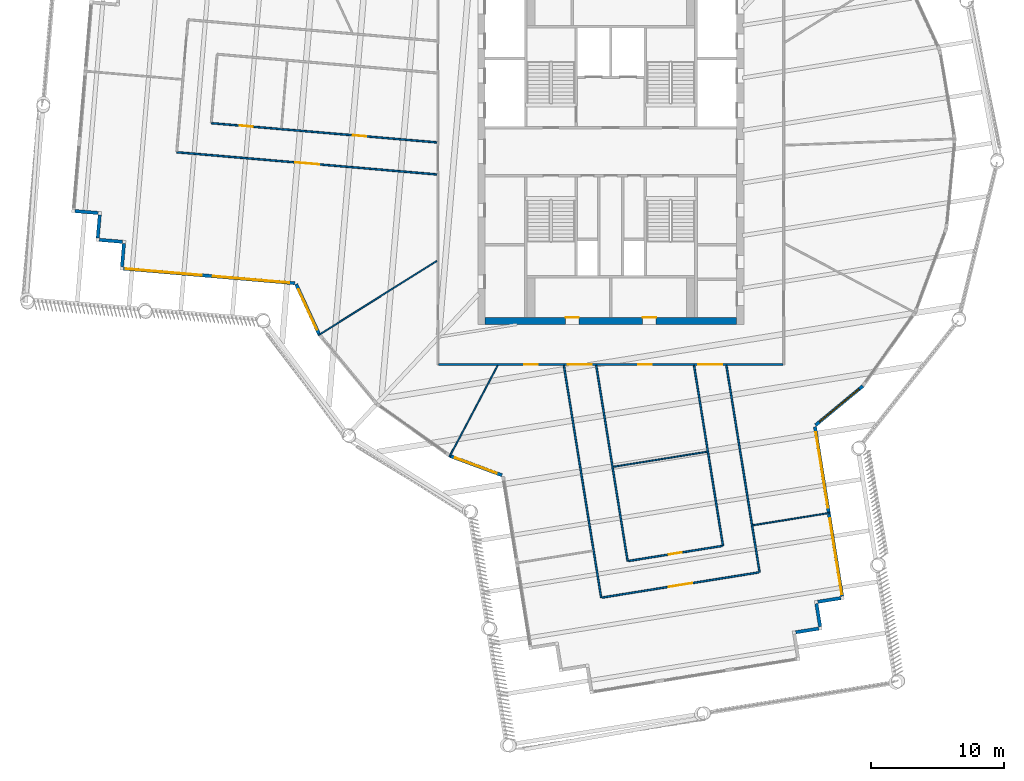
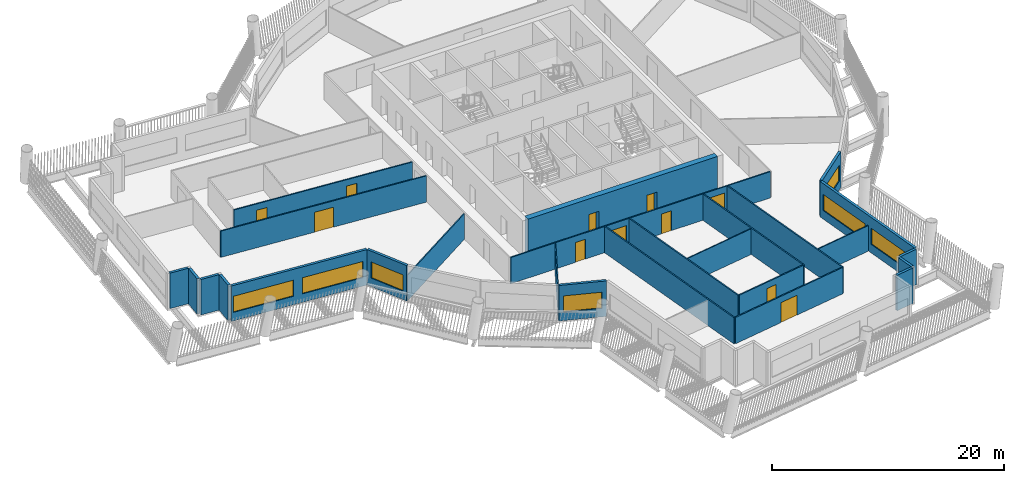
# One storey, part 3 of 14: 26 walls, 11 doors, 7 windows, 18 openings.
"""IFC4 building model written with IfcOpenShell, lengths in metres."""

import ifcopenshell
import ifcopenshell.guid

model = None  # the IFC model being written
_history = None  # IfcOwnerHistory: only IFC2X3 demands one
_inside = {}  # id of a spatial element -> (the spatial element, [elements in it])
_under = {}  # id of a project, library or spatial element -> (it, [spatial elements below it])
_declared = {}  # id of a project -> (the project, [libraries it declares])
_typed = {}  # id of a type object -> (the type object, [elements of that type])
_made_of = {}  # id of a material, layer set ... -> (it, [elements and type objects made of it])


def new_model(schema):
    """Start an empty IFC model of exactly this schema.

    Asked for "IFC4X3", IfcOpenShell would pick the latest addendum, in which some entities
    have other attributes; the version numbers below select the first issue.
    IFC2X3 requires an IfcOwnerHistory on every rooted entity: one is made here for all.
    """
    global model, _history
    if schema == "IFC4X3":
        model = ifcopenshell.file(schema_version=(4, 3, 0, 0))
    else:
        model = ifcopenshell.file(schema=schema)
    _inside.clear()
    _under.clear()
    _declared.clear()
    _typed.clear()
    _made_of.clear()
    _history = None
    if model.schema == "IFC2X3":
        org = make("IfcOrganization", Name="unknown")
        user = make(
            "IfcPersonAndOrganization",
            ThePerson=make("IfcPerson", FamilyName="unknown"),
            TheOrganization=org,
        )
        app = make(
            "IfcApplication",
            ApplicationDeveloper=org,
            Version="unknown",
            ApplicationFullName="unknown",
            ApplicationIdentifier="unknown",
        )
        _history = make(
            "IfcOwnerHistory",
            OwningUser=user,
            OwningApplication=app,
            ChangeAction="ADDED",
            CreationDate=0,
        )
    return model


def make(cls, **values):
    """One entity of the class cls with the attributes given. An attribute that is None is left unset."""
    return model.create_entity(
        cls, **{name: value for name, value in values.items() if value is not None}
    )


def rooted(cls, **values):
    """An entity with a GlobalId (a new one), such as an element, a storey or a relation."""
    return make(cls, GlobalId=ifcopenshell.guid.new(), OwnerHistory=_history, **values)


def si_unit(unit_type, name, prefix=None):
    """IfcSIUnit, for example si_unit("LENGTHUNIT", "METRE", prefix="MILLI")."""
    return make("IfcSIUnit", UnitType=unit_type, Prefix=prefix, Name=name)


def assignment(units):
    """IfcUnitAssignment: the units of a project."""
    return None if units is None else make("IfcUnitAssignment", Units=units)


def point(xyz):
    """IfcCartesianPoint."""
    return None if xyz is None else make("IfcCartesianPoint", Coordinates=xyz)


def direction(xyz):
    """IfcDirection."""
    return None if xyz is None else make("IfcDirection", DirectionRatios=xyz)


def frame(location, z_axis=None, x_axis=None):
    """IfcAxis2Placement3D, a coordinate frame: its origin and axes. An axis left out is left unset."""
    return make(
        "IfcAxis2Placement3D",
        Location=point(location),
        Axis=direction(z_axis),
        RefDirection=direction(x_axis),
    )


def frame_2d(location, x_axis=None):
    """IfcAxis2Placement2D, a coordinate frame in the plane: its origin and x axis."""
    return make(
        "IfcAxis2Placement2D", Location=point(location), RefDirection=direction(x_axis)
    )


def origin():
    """The frame at (0, 0, 0) with its axes left unset."""
    return frame((0.0, 0.0, 0.0))


def place(relative_to, where):
    """IfcLocalPlacement: puts the frame where relative to a parent placement (None: the world)."""
    return make(
        "IfcLocalPlacement", PlacementRelTo=relative_to, RelativePlacement=where
    )


def context(
    kind, dimensions, precision=None, world=None, true_north=None, identifier=None
):
    """IfcGeometricRepresentationContext, for example the 3D "Model" context."""
    return make(
        "IfcGeometricRepresentationContext",
        ContextIdentifier=identifier,
        ContextType=kind,
        CoordinateSpaceDimension=dimensions,
        Precision=precision,
        WorldCoordinateSystem=world,
        TrueNorth=true_north,
    )


def subcontext(parent, identifier, kind, view, scale=None):
    """IfcGeometricRepresentationSubContext, for example "Body" below "Model"."""
    return make(
        "IfcGeometricRepresentationSubContext",
        ContextIdentifier=identifier,
        ContextType=kind,
        ParentContext=parent,
        TargetScale=scale,
        TargetView=view,
    )


def project(units=None, contexts=None):
    """IfcProject with its units and contexts."""
    return rooted(
        "IfcProject",
        Name="project",
        RepresentationContexts=contexts,
        UnitsInContext=assignment(units),
    )


def spatial(cls, under=None, at=None, **own):
    """A site, building, storey or space (cls), placed at a placement, below another one or the project."""
    s = rooted(cls, ObjectPlacement=at, **own)
    if under is not None:
        _under.setdefault(under.id(), (under, []))[1].append(s)
    return s


def profile(cls, at=None, kind="AREA", **sizes):
    """A parametric profile (cls). Its sizes go by their IFC names, for example OverallWidth=200.0."""
    return make(cls, ProfileType=kind, Position=at, **sizes)


def rectangle(**sizes):
    """IfcRectangleProfileDef."""
    return profile("IfcRectangleProfileDef", **sizes)


def extrude(swept, where, along, depth):
    """IfcExtrudedAreaSolid: the profile swept, set in the frame where, extruded along a direction by depth."""
    return make(
        "IfcExtrudedAreaSolid",
        SweptArea=swept,
        Position=where,
        ExtrudedDirection=direction(along),
        Depth=depth,
    )


def shape(context_of_items, identifier, shape_type, items):
    """IfcShapeRepresentation: the items that make up one representation, for example the "Body"."""
    return make(
        "IfcShapeRepresentation",
        ContextOfItems=context_of_items,
        RepresentationIdentifier=identifier,
        RepresentationType=shape_type,
        Items=items,
    )


def material(Name=None, Category=None):
    """IfcMaterial."""
    return make("IfcMaterial", Name=Name, Category=Category)


def layer(
    of_material, thickness, ventilated=None, Name=None, Category=None, Priority=None
):
    """IfcMaterialLayer: one layer of a wall or slab, of a material (None: an air gap)."""
    return make(
        "IfcMaterialLayer",
        Material=of_material,
        LayerThickness=thickness,
        IsVentilated=ventilated,
        Name=Name,
        Category=Category,
        Priority=Priority,
    )


def layer_set(layers, Name=None):
    """IfcMaterialLayerSet."""
    return make("IfcMaterialLayerSet", MaterialLayers=layers, LayerSetName=Name)


def made_of(thing, what):
    """Note that an element or type object is made of a material, layer set ...; save() writes the relation."""
    if what is not None:
        _made_of.setdefault(what.id(), (what, []))[1].append(thing)
    return thing


def type_object(cls, material=None, **own):
    """A type object (cls), such as IfcWallType, which elements share."""
    return made_of(rooted(cls, **own), material)


def element(
    cls,
    number,
    at=None,
    inside=None,
    cuts=None,
    type_object=None,
    material=None,
    context=None,
    identifier="Body",
    shape_type=None,
    held_by="IfcProductDefinitionShape",
    body=None,
    shapes=None,
    **own,
):
    """One element of the class cls, such as IfcWall. Its Tag is "e" and its number.

    at: its placement. inside: the storey or other place that contains it. cuts: it is an
    opening in that element (IfcRelVoidsElement). A single representation is given by context,
    identifier, shape_type and body (its items); several are given by shapes. held_by: the class
    of the entity that holds the representations. save() writes the other relations.
    """
    e = rooted(cls, Tag="e%d" % number, ObjectPlacement=at, **own)
    if body is not None:
        shapes = [shape(context, identifier, shape_type, body)]
    if shapes is not None:
        e.Representation = make(held_by, Representations=shapes)
    if inside is not None:
        _inside.setdefault(inside.id(), (inside, []))[1].append(e)
    if cuts is not None:
        rooted(
            "IfcRelVoidsElement", RelatingBuildingElement=cuts, RelatedOpeningElement=e
        )
    if type_object is not None:
        _typed.setdefault(type_object.id(), (type_object, []))[1].append(e)
    return made_of(e, material)


def fill(opening, filler):
    """IfcRelFillsElement: the door or window that sits in an opening."""
    return rooted(
        "IfcRelFillsElement",
        RelatingOpeningElement=opening,
        RelatedBuildingElement=filler,
    )


def aggregate(whole, parts):
    """IfcRelAggregates: a whole, such as a stair, and the parts it consists of."""
    return rooted("IfcRelAggregates", RelatingObject=whole, RelatedObjects=parts)


def save(model, path):
    """Write the relations noted so far, then the file.

    IfcRelAggregates (storeys below a building ...), IfcRelContainedInSpatialStructure (elements
    in a storey), IfcRelDefinesByType, IfcRelAssociatesMaterial and IfcRelDeclares: one each for
    every whole, place, type object, material and project.
    """
    for whole, parts in _under.values():
        aggregate(whole, parts)
    for where, things in _inside.values():
        rooted(
            "IfcRelContainedInSpatialStructure",
            RelatedElements=things,
            RelatingStructure=where,
        )
    for kind, things in _typed.values():
        rooted("IfcRelDefinesByType", RelatedObjects=things, RelatingType=kind)
    for what, things in _made_of.values():
        rooted("IfcRelAssociatesMaterial", RelatedObjects=things, RelatingMaterial=what)
    for by, libraries in _declared.values():
        rooted("IfcRelDeclares", RelatingContext=by, RelatedDefinitions=libraries)
    model.write(path)


model = new_model("IFC4")

# Units and contexts
model_context = context("Model", 3, precision=1e-05, world=origin(), true_north=direction((0.0, 1.0)))
body_context = subcontext(model_context, "Body", "Model", "MODEL_VIEW")
ifc_project = project(units=[si_unit("LENGTHUNIT", "METRE"), si_unit("AREAUNIT", "SQUARE_METRE"), si_unit("VOLUMEUNIT", "CUBIC_METRE"), si_unit("PLANEANGLEUNIT", "RADIAN"), si_unit("MASSUNIT", "GRAM", prefix="KILO")], contexts=[model_context])

# Site, building, storey
site_placement = place(None, origin())
site = spatial("IfcSite", under=ifc_project, at=site_placement, CompositionType="ELEMENT")
building_placement = place(site_placement, origin())
building = spatial("IfcBuilding", under=site, at=building_placement, Name="Tarsis Ring Headquarters", CompositionType="ELEMENT")
storey_placement = place(building_placement, frame((0.0, 0.0, 266.89990234375)))
storey = spatial("IfcBuildingStorey", under=building, at=storey_placement, Name="L62", CompositionType="ELEMENT", Elevation=266.89990234375)

# Wall, openings, doors
ifc_material_1 = material(Name="Concrete C50/60", Category="concrete")
ifc_layer_1 = layer(ifc_material_1, 0.550048828125)
ifc_layer_set_1 = layer_set([ifc_layer_1], Name="Core wall 550 C50/60")
wall_type_1 = type_object("IfcWallType", Name="Core wall 550 C50/60", PredefinedType="SHEAR", material=ifc_layer_set_1)
wall_1_placement = place(storey_placement, frame((-9.449951171875, -12.72509765625, 0.0), z_axis=(0.0, 0.0, 1.0), x_axis=(1.0, 0.0, 0.0)))
wall_1 = element("IfcWall", 1, at=wall_1_placement, inside=storey, type_object=wall_type_1, Name="Core wall OS", PredefinedType="SHEAR", context=body_context, shape_type="SweptSolid", body=[
    extrude(rectangle(XDim=18.89990234375, YDim=0.550048828125, at=frame_2d((9.449951171875, 0.0))), origin(), (0.0, 0.0, 1.0), 3.739990234375),
])
opening_1_placement = place(wall_1_placement, frame((6.050048828125, 0.0, 0.0)))
opening_1 = element("IfcOpeningElement", 2, at=opening_1_placement, cuts=wall_1, Name="Opening L62-C18", PredefinedType="OPENING", context=body_context, shape_type="SweptSolid", body=[
    extrude(rectangle(XDim=1.0, YDim=2.10009765625, at=frame_2d((0.5, 1.050048828125))), frame((0.0, 0.284912109375, 0.0), z_axis=(0.0, -1.0, 0.0), x_axis=(1.0, 0.0, 0.0)), (0.0, 0.0, 1.0), 0.570068359375),
])
opening_2_placement = place(wall_1_placement, frame((11.85009765625, 0.0, 0.0)))
opening_2 = element("IfcOpeningElement", 3, at=opening_2_placement, cuts=wall_1, Name="Opening L62-C19", PredefinedType="OPENING", context=body_context, shape_type="SweptSolid", body=[
    extrude(rectangle(XDim=1.0, YDim=2.10009765625, at=frame_2d((0.5, 1.050048828125))), frame((0.0, 0.284912109375, 0.0), z_axis=(0.0, -1.0, 0.0), x_axis=(1.0, 0.0, 0.0)), (0.0, 0.0, 1.0), 0.570068359375),
])
ifc_material_2 = material(Name="Steel S355", Category="steel")
door_type_1 = type_object("IfcDoorType", Name="Core room door 1000x2100", OperationType="SINGLE_SWING_LEFT", PredefinedType="DOOR", material=ifc_material_2)
door_1_placement = place(opening_1_placement, origin())
door_1 = element("IfcDoor", 4, at=door_1_placement, inside=storey, type_object=door_type_1, Name="Core room door L62", OperationType="SINGLE_SWING_LEFT", OverallHeight=2.10009765625, OverallWidth=1.0, PredefinedType="DOOR", context=body_context, shape_type="SweptSolid", body=[
    extrude(rectangle(XDim=1.0, YDim=2.10009765625, at=frame_2d((0.5, 1.050048828125))), frame((0.0, 0.27490234375, 0.0), z_axis=(0.0, -1.0, 0.0), x_axis=(1.0, 0.0, 0.0)), (0.0, 0.0, 1.0), 0.050048828125),
])
fill(opening_1, door_1)
door_2_placement = place(opening_2_placement, origin())
door_2 = element("IfcDoor", 5, at=door_2_placement, inside=storey, type_object=door_type_1, Name="Core room door L62", OperationType="SINGLE_SWING_LEFT", OverallHeight=2.10009765625, OverallWidth=1.0, PredefinedType="DOOR", context=body_context, shape_type="SweptSolid", body=[
    extrude(rectangle(XDim=1.0, YDim=2.10009765625, at=frame_2d((0.5, 1.050048828125))), frame((0.0, 0.27490234375, 0.0), z_axis=(0.0, -1.0, 0.0), x_axis=(1.0, 0.0, 0.0)), (0.0, 0.0, 1.0), 0.050048828125),
])
fill(opening_2, door_2)

# Walls
ifc_material_3 = material(Name="Gypsum board on steel studs", Category="steel")
ifc_layer_2 = layer(ifc_material_3, 0.10009765625)
ifc_layer_set_2 = layer_set([ifc_layer_2], Name="FL partition 100 unrated")
wall_type_2 = type_object("IfcWallType", Name="FL partition 100 unrated", PredefinedType="PARTITIONING", material=ifc_layer_set_2)
wall_2_placement = place(storey_placement, frame((-21.976318359375, -13.79638671875, 0.0), z_axis=(0.0, 0.0, 1.0), x_axis=(0.846935486202, 0.531695666911, 0.0)))
element("IfcWall", 6, at=wall_2_placement, inside=storey, type_object=wall_type_2, Name="Partition PW3", PredefinedType="PARTITIONING", context=body_context, shape_type="SweptSolid", body=[
    extrude(rectangle(XDim=10.508544921875, YDim=0.10009765625, at=frame_2d((5.25439453125, 0.0))), origin(), (0.0, 0.0, 1.0), 2.7001953125),
])
wall_3_placement = place(storey_placement, frame((-12.1337890625, -22.93603515625, 0.0), z_axis=(0.0, 0.0, 1.0), x_axis=(0.467617272652, 0.883931041608, 0.0)))
element("IfcWall", 7, at=wall_3_placement, inside=storey, type_object=wall_type_2, Name="Partition PW3", PredefinedType="PARTITIONING", context=body_context, shape_type="SweptSolid", body=[
    extrude(rectangle(XDim=7.7568359375, YDim=0.10009765625, at=frame_2d((3.87841796875, 0.0))), origin(), (0.0, 0.0, 1.0), 2.7001953125),
])
wall_4_placement = place(storey_placement, frame((0.197021484375, -23.688232421875, 0.0), z_axis=(0.0, 0.0, 1.0), x_axis=(0.98736133756, 0.158485296135, 0.0)))
element("IfcWall", 8, at=wall_4_placement, inside=storey, type_object=wall_type_2, Name="Partition PW3", PredefinedType="PARTITIONING", context=body_context, shape_type="SweptSolid", body=[
    extrude(rectangle(XDim=7.1201171875, YDim=0.10009765625, at=frame_2d((3.56005859375, 0.0))), origin(), (0.0, 0.0, 1.0), 2.7001953125),
])
wall_5_placement = place(storey_placement, frame((10.68603515625, -28.081298828125, 0.0), z_axis=(0.0, 0.0, 1.0), x_axis=(0.987358726604, 0.158501561505, 0.0)))
element("IfcWall", 9, at=wall_5_placement, inside=storey, type_object=wall_type_2, Name="Partition PW3", PredefinedType="PARTITIONING", context=body_context, shape_type="SweptSolid", body=[
    extrude(rectangle(XDim=5.85009765625, YDim=0.10009765625, at=frame_2d((2.925048828125, 0.0))), origin(), (0.0, 0.0, 1.0), 2.7001953125),
])

# Wall, openings, doors
ifc_layer_3 = layer(ifc_material_3, 0.125)
ifc_layer_set_3 = layer_set([ifc_layer_3], Name="FL partition 125 EI 60 H2770")
wall_type_3 = type_object("IfcWallType", Name="FL partition 125 EI 60 H2770", PredefinedType="PARTITIONING", material=ifc_layer_set_3)
wall_6_placement = place(storey_placement, frame((-12.93994140625, -16.0, 0.0), z_axis=(0.0, 0.0, 1.0), x_axis=(1.0, 0.0, 0.0)))
wall_6 = element("IfcWall", 10, at=wall_6_placement, inside=storey, type_object=wall_type_3, Name="Partition PW1", PredefinedType="PARTITIONING", context=body_context, shape_type="SweptSolid", body=[
    extrude(rectangle(XDim=25.8798828125, YDim=0.125, at=frame_2d((12.93994140625, 0.0))), origin(), (0.0, 0.0, 1.0), 2.77001953125),
])
opening_3_placement = place(wall_6_placement, frame((6.4384765625, 0.0, 0.0)))
opening_3 = element("IfcOpeningElement", 11, at=opening_3_placement, cuts=wall_6, Name="Opening D62.10", PredefinedType="OPENING", context=body_context, shape_type="SweptSolid", body=[
    extrude(rectangle(XDim=1.0, YDim=2.10009765625, at=frame_2d((0.5, 1.050048828125))), frame((0.0, 0.072509765625, 0.0), z_axis=(0.0, -1.0, 0.0), x_axis=(1.0, 0.0, 0.0)), (0.0, 0.0, 1.0), 0.14501953125),
])
opening_4_placement = place(wall_6_placement, frame((15.008544921875, 0.0, 0.0)))
opening_4 = element("IfcOpeningElement", 12, at=opening_4_placement, cuts=wall_6, Name="Opening D62.14", PredefinedType="OPENING", context=body_context, shape_type="SweptSolid", body=[
    extrude(rectangle(XDim=1.0, YDim=2.10009765625, at=frame_2d((0.5, 1.050048828125))), frame((0.0, 0.072509765625, 0.0), z_axis=(0.0, -1.0, 0.0), x_axis=(1.0, 0.0, 0.0)), (0.0, 0.0, 1.0), 0.14501953125),
])
opening_5_placement = place(wall_6_placement, frame((9.716796875, 0.0, 0.0)))
opening_5 = element("IfcOpeningElement", 13, at=opening_5_placement, cuts=wall_6, Name="Opening D62.16", PredefinedType="OPENING", context=body_context, shape_type="SweptSolid", body=[
    extrude(rectangle(XDim=1.800048828125, YDim=2.10009765625, at=frame_2d((0.89990234375, 1.050048828125))), frame((0.0, 0.072509765625, 0.0), z_axis=(0.0, -1.0, 0.0), x_axis=(1.0, 0.0, 0.0)), (0.0, 0.0, 1.0), 0.14501953125),
])
opening_6_placement = place(wall_6_placement, frame((19.50048828125, 0.0, 0.0)))
opening_6 = element("IfcOpeningElement", 14, at=opening_6_placement, cuts=wall_6, Name="Opening D62.17", PredefinedType="OPENING", context=body_context, shape_type="SweptSolid", body=[
    extrude(rectangle(XDim=1.800048828125, YDim=2.10009765625, at=frame_2d((0.89990234375, 1.050048828125))), frame((0.0, 0.072509765625, 0.0), z_axis=(0.0, -1.0, 0.0), x_axis=(1.0, 0.0, 0.0)), (0.0, 0.0, 1.0), 0.14501953125),
])
ifc_material_4 = material(Name="Fire-rated timber door leaf in steel frame", Category="steel")
door_type_2 = type_object("IfcDoorType", Name="FL door FD60-1000", OperationType="NOTDEFINED", PredefinedType="DOOR", material=ifc_material_4)
door_3_placement = place(opening_3_placement, origin())
door_3 = element("IfcDoor", 15, at=door_3_placement, inside=storey, type_object=door_type_2, Name="Door D62.10", OperationType="SINGLE_SWING_RIGHT", OverallHeight=2.10009765625, OverallWidth=1.0, PredefinedType="DOOR", context=body_context, shape_type="SweptSolid", body=[
    extrude(rectangle(XDim=1.0, YDim=2.10009765625, at=frame_2d((0.5, 1.050048828125))), frame((0.0, 0.02490234375, 0.0), z_axis=(0.0, -1.0, 0.0), x_axis=(1.0, 0.0, 0.0)), (0.0, 0.0, 1.0), 0.050048828125),
])
fill(opening_3, door_3)
door_4_placement = place(opening_4_placement, origin())
door_4 = element("IfcDoor", 16, at=door_4_placement, inside=storey, type_object=door_type_2, Name="Door D62.14", OperationType="SINGLE_SWING_RIGHT", OverallHeight=2.10009765625, OverallWidth=1.0, PredefinedType="DOOR", context=body_context, shape_type="SweptSolid", body=[
    extrude(rectangle(XDim=1.0, YDim=2.10009765625, at=frame_2d((0.5, 1.050048828125))), frame((0.0, 0.02490234375, 0.0), z_axis=(0.0, -1.0, 0.0), x_axis=(1.0, 0.0, 0.0)), (0.0, 0.0, 1.0), 0.050048828125),
])
fill(opening_4, door_4)
door_type_3 = type_object("IfcDoorType", Name="FL door FD60-1800", OperationType="DOUBLE_DOOR_SINGLE_SWING", PredefinedType="DOOR", material=ifc_material_4)
door_5_placement = place(opening_5_placement, origin())
door_5 = element("IfcDoor", 17, at=door_5_placement, inside=storey, type_object=door_type_3, Name="Door D62.16", OperationType="DOUBLE_DOOR_SINGLE_SWING", OverallHeight=2.10009765625, OverallWidth=1.800048828125, PredefinedType="DOOR", context=body_context, shape_type="SweptSolid", body=[
    extrude(rectangle(XDim=1.800048828125, YDim=2.10009765625, at=frame_2d((0.89990234375, 1.050048828125))), frame((0.0, 0.02490234375, 0.0), z_axis=(0.0, -1.0, 0.0), x_axis=(1.0, 0.0, 0.0)), (0.0, 0.0, 1.0), 0.050048828125),
])
fill(opening_5, door_5)
door_6_placement = place(opening_6_placement, origin())
door_6 = element("IfcDoor", 18, at=door_6_placement, inside=storey, type_object=door_type_3, Name="Door D62.17", OperationType="DOUBLE_DOOR_SINGLE_SWING", OverallHeight=2.10009765625, OverallWidth=1.800048828125, PredefinedType="DOOR", context=body_context, shape_type="SweptSolid", body=[
    extrude(rectangle(XDim=1.800048828125, YDim=2.10009765625, at=frame_2d((0.89990234375, 1.050048828125))), frame((0.0, 0.02490234375, 0.0), z_axis=(0.0, -1.0, 0.0), x_axis=(1.0, 0.0, 0.0)), (0.0, 0.0, 1.0), 0.050048828125),
])
fill(opening_6, door_6)

# Wall, opening, door
wall_7_placement = place(storey_placement, frame((-32.632080078125, -0.044189453125, 0.0), z_axis=(0.0, 0.0, 1.0), x_axis=(0.996375281529, -0.085066434966, 0.0)))
wall_7 = element("IfcWall", 19, at=wall_7_placement, inside=storey, type_object=wall_type_3, Name="Partition PW1", PredefinedType="PARTITIONING", context=body_context, shape_type="SweptSolid", body=[
    extrude(rectangle(XDim=19.633544921875, YDim=0.125, at=frame_2d((9.81689453125, 0.0))), origin(), (0.0, 0.0, 1.0), 2.77001953125),
])
opening_7_placement = place(wall_7_placement, frame((8.95166015625, 0.0, 0.0)))
opening_7 = element("IfcOpeningElement", 20, at=opening_7_placement, cuts=wall_7, Name="Opening D62.01", PredefinedType="OPENING", context=body_context, shape_type="SweptSolid", body=[
    extrude(rectangle(XDim=1.800048828125, YDim=2.10009765625, at=frame_2d((0.89990234375, 1.050048828125))), frame((0.0, 0.072509765625, 0.0), z_axis=(0.0, -1.0, 0.0), x_axis=(1.0, 0.0, 0.0)), (0.0, 0.0, 1.0), 0.14501953125),
])
door_7_placement = place(opening_7_placement, origin())
door_7 = element("IfcDoor", 21, at=door_7_placement, inside=storey, type_object=door_type_3, Name="Door D62.01", OperationType="DOUBLE_DOOR_SINGLE_SWING", OverallHeight=2.10009765625, OverallWidth=1.800048828125, PredefinedType="DOOR", context=body_context, shape_type="SweptSolid", body=[
    extrude(rectangle(XDim=1.800048828125, YDim=2.10009765625, at=frame_2d((0.89990234375, 1.050048828125))), frame((0.0, 0.02490234375, 0.0), z_axis=(0.0, -1.0, 0.0), x_axis=(1.0, 0.0, 0.0)), (0.0, 0.0, 1.0), 0.050048828125),
])
fill(opening_7, door_7)

# Wall
wall_8_placement = place(storey_placement, frame((-3.527587890625, -16.069091796875, 0.0), z_axis=(0.0, 0.0, 1.0), x_axis=(0.158496640565, -0.987359516554, 0.0)))
element("IfcWall", 22, at=wall_8_placement, inside=storey, type_object=wall_type_3, Name="Partition PW1", PredefinedType="PARTITIONING", context=body_context, shape_type="SweptSolid", body=[
    extrude(rectangle(XDim=17.683349609375, YDim=0.125, at=frame_2d((8.841796875, 0.0))), origin(), (0.0, 0.0, 1.0), 2.77001953125),
])

# Wall, openings, doors
wall_9_placement = place(storey_placement, frame((-30.03662109375, 2.14306640625, 0.0), z_axis=(0.0, 0.0, 1.0), x_axis=(0.996374514499, -0.085075418637, 0.0)))
wall_9 = element("IfcWall", 23, at=wall_9_placement, inside=storey, type_object=wall_type_3, Name="Partition PW1", PredefinedType="PARTITIONING", context=body_context, shape_type="SweptSolid", body=[
    extrude(rectangle(XDim=17.02880859375, YDim=0.125, at=frame_2d((8.514404296875, 0.0))), origin(), (0.0, 0.0, 1.0), 2.77001953125),
])
opening_8_placement = place(wall_9_placement, frame((10.693603515625, 0.0, 0.0)))
opening_8 = element("IfcOpeningElement", 24, at=opening_8_placement, cuts=wall_9, Name="Opening D62.12", PredefinedType="OPENING", context=body_context, shape_type="SweptSolid", body=[
    extrude(rectangle(XDim=1.0, YDim=2.10009765625, at=frame_2d((0.5, 1.050048828125))), frame((0.0, 0.072509765625, 0.0), z_axis=(0.0, -1.0, 0.0), x_axis=(1.0, 0.0, 0.0)), (0.0, 0.0, 1.0), 0.14501953125),
])
opening_9_placement = place(wall_9_placement, frame((2.144287109375, 0.0, 0.0)))
opening_9 = element("IfcOpeningElement", 25, at=opening_9_placement, cuts=wall_9, Name="Opening D62.13", PredefinedType="OPENING", context=body_context, shape_type="SweptSolid", body=[
    extrude(rectangle(XDim=1.0, YDim=2.10009765625, at=frame_2d((0.5, 1.050048828125))), frame((0.0, 0.072509765625, 0.0), z_axis=(0.0, -1.0, 0.0), x_axis=(1.0, 0.0, 0.0)), (0.0, 0.0, 1.0), 0.14501953125),
])
door_8_placement = place(opening_8_placement, origin())
door_8 = element("IfcDoor", 26, at=door_8_placement, inside=storey, type_object=door_type_2, Name="Door D62.12", OperationType="SINGLE_SWING_RIGHT", OverallHeight=2.10009765625, OverallWidth=1.0, PredefinedType="DOOR", context=body_context, shape_type="SweptSolid", body=[
    extrude(rectangle(XDim=1.0, YDim=2.10009765625, at=frame_2d((0.5, 1.050048828125))), frame((0.0, 0.02490234375, 0.0), z_axis=(0.0, -1.0, 0.0), x_axis=(1.0, 0.0, 0.0)), (0.0, 0.0, 1.0), 0.050048828125),
])
fill(opening_8, door_8)
door_9_placement = place(opening_9_placement, origin())
door_9 = element("IfcDoor", 27, at=door_9_placement, inside=storey, type_object=door_type_2, Name="Door D62.13", OperationType="SINGLE_SWING_LEFT", OverallHeight=2.10009765625, OverallWidth=1.0, PredefinedType="DOOR", context=body_context, shape_type="SweptSolid", body=[
    extrude(rectangle(XDim=1.0, YDim=2.10009765625, at=frame_2d((0.5, 1.050048828125))), frame((0.0, 0.02490234375, 0.0), z_axis=(0.0, -1.0, 0.0), x_axis=(1.0, 0.0, 0.0)), (0.0, 0.0, 1.0), 0.050048828125),
])
fill(opening_9, door_9)

# Walls
wall_10_placement = place(storey_placement, frame((8.686767578125, -16.069091796875, 0.0), z_axis=(0.0, 0.0, 1.0), x_axis=(0.158510496286, -0.987357292254, 0.0)))
element("IfcWall", 28, at=wall_10_placement, inside=storey, type_object=wall_type_3, Name="Partition PW1", PredefinedType="PARTITIONING", context=body_context, shape_type="SweptSolid", body=[
    extrude(rectangle(XDim=15.7470703125, YDim=0.125, at=frame_2d((7.87353515625, 0.0))), origin(), (0.0, 0.0, 1.0), 2.77001953125),
])
wall_11_placement = place(storey_placement, frame((-1.096923828125, -16.069091796875, 0.0), z_axis=(0.0, 0.0, 1.0), x_axis=(0.158499231893, -0.987359100576, 0.0)))
element("IfcWall", 29, at=wall_11_placement, inside=storey, type_object=wall_type_3, Name="Partition PW1", PredefinedType="PARTITIONING", context=body_context, shape_type="SweptSolid", body=[
    extrude(rectangle(XDim=14.89794921875, YDim=0.125, at=frame_2d((7.448974609375, 0.0))), origin(), (0.0, 0.0, 1.0), 2.77001953125),
])
wall_12_placement = place(storey_placement, frame((6.256103515625, -16.069091796875, 0.0), z_axis=(0.0, 0.0, 1.0), x_axis=(0.158494572091, -0.987359848595, 0.0)))
element("IfcWall", 30, at=wall_12_placement, inside=storey, type_object=wall_type_3, Name="Partition PW1", PredefinedType="PARTITIONING", context=body_context, shape_type="SweptSolid", body=[
    extrude(rectangle(XDim=13.732421875, YDim=0.125, at=frame_2d((6.8662109375, 0.0))), origin(), (0.0, 0.0, 1.0), 2.77001953125),
])

# Wall, opening, door
wall_13_placement = place(storey_placement, frame((-0.66552734375, -33.519287109375, 0.0), z_axis=(0.0, 0.0, 1.0), x_axis=(0.98735781444, 0.158507243571, 0.0)))
wall_13 = element("IfcWall", 31, at=wall_13_placement, inside=storey, type_object=wall_type_3, Name="Partition PW1", PredefinedType="PARTITIONING", context=body_context, shape_type="SweptSolid", body=[
    extrude(rectangle(XDim=11.93994140625, YDim=0.125, at=frame_2d((5.969970703125, 0.0))), origin(), (0.0, 0.0, 1.0), 2.77001953125),
])
opening_10_placement = place(wall_13_placement, frame((5.070068359375, 0.0, 0.0)))
opening_10 = element("IfcOpeningElement", 32, at=opening_10_placement, cuts=wall_13, Name="Opening D62.09", PredefinedType="OPENING", context=body_context, shape_type="SweptSolid", body=[
    extrude(rectangle(XDim=1.800048828125, YDim=2.10009765625, at=frame_2d((0.89990234375, 1.050048828125))), frame((0.0, 0.072509765625, 0.0), z_axis=(0.0, -1.0, 0.0), x_axis=(1.0, 0.0, 0.0)), (0.0, 0.0, 1.0), 0.14501953125),
])
door_10_placement = place(opening_10_placement, origin())
door_10 = element("IfcDoor", 33, at=door_10_placement, inside=storey, type_object=door_type_3, Name="Door D62.09", OperationType="DOUBLE_DOOR_SINGLE_SWING", OverallHeight=2.10009765625, OverallWidth=1.800048828125, PredefinedType="DOOR", context=body_context, shape_type="SweptSolid", body=[
    extrude(rectangle(XDim=1.800048828125, YDim=2.10009765625, at=frame_2d((0.89990234375, 1.050048828125))), frame((0.0, 0.02490234375, 0.0), z_axis=(0.0, -1.0, 0.0), x_axis=(1.0, 0.0, 0.0)), (0.0, 0.0, 1.0), 0.050048828125),
])
fill(opening_10, door_10)

wall_14_placement = place(storey_placement, frame((1.32373046875, -30.769287109375, 0.0), z_axis=(0.0, 0.0, 1.0), x_axis=(0.987355995141, 0.158518575754, 0.0)))
wall_14 = element("IfcWall", 34, at=wall_14_placement, inside=storey, type_object=wall_type_3, Name="Partition PW1", PredefinedType="PARTITIONING", context=body_context, shape_type="SweptSolid", body=[
    extrude(rectangle(XDim=7.14013671875, YDim=0.125, at=frame_2d((3.570068359375, 0.0))), origin(), (0.0, 0.0, 1.0), 2.77001953125),
])
opening_11_placement = place(wall_14_placement, frame((3.070068359375, 0.0, 0.0)))
opening_11 = element("IfcOpeningElement", 35, at=opening_11_placement, cuts=wall_14, Name="Opening D62.15", PredefinedType="OPENING", context=body_context, shape_type="SweptSolid", body=[
    extrude(rectangle(XDim=1.0, YDim=2.10009765625, at=frame_2d((0.5, 1.050048828125))), frame((0.0, 0.072509765625, 0.0), z_axis=(0.0, -1.0, 0.0), x_axis=(1.0, 0.0, 0.0)), (0.0, 0.0, 1.0), 0.14501953125),
])
door_11_placement = place(opening_11_placement, origin())
door_11 = element("IfcDoor", 36, at=door_11_placement, inside=storey, type_object=door_type_2, Name="Door D62.15", OperationType="SINGLE_SWING_LEFT", OverallHeight=2.10009765625, OverallWidth=1.0, PredefinedType="DOOR", context=body_context, shape_type="SweptSolid", body=[
    extrude(rectangle(XDim=1.0, YDim=2.10009765625, at=frame_2d((0.5, 1.050048828125))), frame((0.0, 0.02490234375, 0.0), z_axis=(0.0, -1.0, 0.0), x_axis=(1.0, 0.0, 0.0)), (0.0, 0.0, 1.0), 0.050048828125),
])
fill(opening_11, door_11)

# Wall, openings, windows
ifc_material_5 = material(Name="Terracotta clad insulated panel wall", Category="masonry")
ifc_layer_4 = layer(ifc_material_5, 0.25)
ifc_layer_set_4 = layer_set([ifc_layer_4], Name="Facade wall terracotta panel 250")
wall_type_4 = type_object("IfcWallType", Name="Facade wall terracotta panel 250", PredefinedType="STANDARD", material=ifc_layer_set_4)
wall_15_placement = place(storey_placement, frame((-36.630615234375, -8.790771484375, 0.0), z_axis=(0.0, 0.0, 1.0), x_axis=(0.996376032148, -0.08505764258, 0.0)))
wall_15 = element("IfcWall", 37, at=wall_15_placement, inside=storey, type_object=wall_type_4, Name="External wall L62-01", PredefinedType="STANDARD", context=body_context, shape_type="SweptSolid", body=[
    extrude(rectangle(XDim=12.922119140625, YDim=0.25, at=frame_2d((6.4609375, 0.0))), origin(), (0.0, 0.0, 1.0), 3.739990234375),
])
opening_12_placement = place(wall_15_placement, frame((0.16796875, 0.0, 0.89990234375)))
opening_12 = element("IfcOpeningElement", 38, at=opening_12_placement, cuts=wall_15, Name="Opening WN06", PredefinedType="OPENING", context=body_context, shape_type="SweptSolid", body=[
    extrude(rectangle(XDim=5.75, YDim=1.699951171875, at=frame_2d((2.875, 0.85009765625))), frame((0.0, 0.135009765625, 0.0), z_axis=(0.0, -1.0, 0.0), x_axis=(1.0, 0.0, 0.0)), (0.0, 0.0, 1.0), 0.27001953125),
])
opening_13_placement = place(wall_15_placement, frame((6.75390625, 0.0, 0.89990234375)))
opening_13 = element("IfcOpeningElement", 39, at=opening_13_placement, cuts=wall_15, Name="Opening WN06", PredefinedType="OPENING", context=body_context, shape_type="SweptSolid", body=[
    extrude(rectangle(XDim=5.75, YDim=1.699951171875, at=frame_2d((2.875, 0.85009765625))), frame((0.0, 0.135009765625, 0.0), z_axis=(0.0, -1.0, 0.0), x_axis=(1.0, 0.0, 0.0)), (0.0, 0.0, 1.0), 0.27001953125),
])
ifc_material_6 = material(Name="Aluminium framed double glazing", Category="aluminium")
window_type_1 = type_object("IfcWindowType", Name="Facade window 5750 x 1700", PartitioningType="SINGLE_PANEL", PredefinedType="WINDOW", material=ifc_material_6)
window_1_placement = place(opening_12_placement, origin())
window_1 = element("IfcWindow", 40, at=window_1_placement, inside=storey, type_object=window_type_1, Name="Window L62-01.1", OverallHeight=1.699951171875, OverallWidth=5.75, PartitioningType="SINGLE_PANEL", PredefinedType="WINDOW", context=body_context, shape_type="SweptSolid", body=[
    extrude(rectangle(XDim=5.75, YDim=1.699951171875, at=frame_2d((2.875, 0.85009765625))), frame((0.0, 0.030029296875, 0.0), z_axis=(0.0, -1.0, 0.0), x_axis=(1.0, 0.0, 0.0)), (0.0, 0.0, 1.0), 0.06005859375),
])
fill(opening_12, window_1)
window_2_placement = place(opening_13_placement, origin())
window_2 = element("IfcWindow", 41, at=window_2_placement, inside=storey, type_object=window_type_1, Name="Window L62-01.2", OverallHeight=1.699951171875, OverallWidth=5.75, PartitioningType="SINGLE_PANEL", PredefinedType="WINDOW", context=body_context, shape_type="SweptSolid", body=[
    extrude(rectangle(XDim=5.75, YDim=1.699951171875, at=frame_2d((2.875, 0.85009765625))), frame((0.0, 0.030029296875, 0.0), z_axis=(0.0, -1.0, 0.0), x_axis=(1.0, 0.0, 0.0)), (0.0, 0.0, 1.0), 0.06005859375),
])
fill(opening_13, window_2)

# Wall, opening, window
wall_16_placement = place(storey_placement, frame((-23.65234375, -9.96240234375, 0.0), z_axis=(0.0, 0.0, 1.0), x_axis=(0.416583937821, -0.909097257035, 0.0)))
wall_16 = element("IfcWall", 42, at=wall_16_placement, inside=storey, type_object=wall_type_4, Name="External wall L62-02", PredefinedType="STANDARD", context=body_context, shape_type="SweptSolid", body=[
    extrude(rectangle(XDim=4.157470703125, YDim=0.25, at=frame_2d((2.07861328125, 0.0))), origin(), (0.0, 0.0, 1.0), 3.739990234375),
])
opening_14_placement = place(wall_16_placement, frame((0.420166015625, 0.0, 0.89990234375)))
opening_14 = element("IfcOpeningElement", 43, at=opening_14_placement, cuts=wall_16, Name="Opening WN01", PredefinedType="OPENING", context=body_context, shape_type="SweptSolid", body=[
    extrude(rectangle(XDim=3.35009765625, YDim=1.699951171875, at=frame_2d((1.675048828125, 0.85009765625))), frame((0.0, 0.135009765625, 0.0), z_axis=(0.0, -1.0, 0.0), x_axis=(1.0, 0.0, 0.0)), (0.0, 0.0, 1.0), 0.27001953125),
])
window_type_2 = type_object("IfcWindowType", Name="Facade window 3350 x 1700", PartitioningType="SINGLE_PANEL", PredefinedType="WINDOW", material=ifc_material_6)
window_3_placement = place(opening_14_placement, origin())
window_3 = element("IfcWindow", 44, at=window_3_placement, inside=storey, type_object=window_type_2, Name="Window L62-02.1", OverallHeight=1.699951171875, OverallWidth=3.35009765625, PartitioningType="SINGLE_PANEL", PredefinedType="WINDOW", context=body_context, shape_type="SweptSolid", body=[
    extrude(rectangle(XDim=3.35009765625, YDim=1.699951171875, at=frame_2d((1.675048828125, 0.85009765625))), frame((0.0, 0.030029296875, 0.0), z_axis=(0.0, -1.0, 0.0), x_axis=(1.0, 0.0, 0.0)), (0.0, 0.0, 1.0), 0.06005859375),
])
fill(opening_14, window_3)

wall_17_placement = place(storey_placement, frame((-12.083740234375, -22.87646484375, 0.0), z_axis=(0.0, 0.0, 1.0), x_axis=(0.937408294067, -0.348232236035, 0.0)))
wall_17 = element("IfcWall", 45, at=wall_17_placement, inside=storey, type_object=wall_type_4, Name="External wall L62-05", PredefinedType="STANDARD", context=body_context, shape_type="SweptSolid", body=[
    extrude(rectangle(XDim=4.157470703125, YDim=0.25, at=frame_2d((2.07861328125, 0.0))), origin(), (0.0, 0.0, 1.0), 3.739990234375),
])
opening_15_placement = place(wall_17_placement, frame((0.38720703125, 0.0, 0.89990234375)))
opening_15 = element("IfcOpeningElement", 46, at=opening_15_placement, cuts=wall_17, Name="Opening WN01", PredefinedType="OPENING", context=body_context, shape_type="SweptSolid", body=[
    extrude(rectangle(XDim=3.35009765625, YDim=1.699951171875, at=frame_2d((1.675048828125, 0.85009765625))), frame((0.0, 0.135009765625, 0.0), z_axis=(0.0, -1.0, 0.0), x_axis=(1.0, 0.0, 0.0)), (0.0, 0.0, 1.0), 0.27001953125),
])
window_4_placement = place(opening_15_placement, origin())
window_4 = element("IfcWindow", 47, at=window_4_placement, inside=storey, type_object=window_type_2, Name="Window L62-05.1", OverallHeight=1.699951171875, OverallWidth=3.35009765625, PartitioningType="SINGLE_PANEL", PredefinedType="WINDOW", context=body_context, shape_type="SweptSolid", body=[
    extrude(rectangle(XDim=3.35009765625, YDim=1.699951171875, at=frame_2d((1.675048828125, 0.85009765625))), frame((0.0, 0.030029296875, 0.0), z_axis=(0.0, -1.0, 0.0), x_axis=(1.0, 0.0, 0.0)), (0.0, 0.0, 1.0), 0.06005859375),
])
fill(opening_15, window_4)

# Walls
wall_18_placement = place(storey_placement, frame((13.902099609375, -36.128173828125, 0.0), z_axis=(0.0, 0.0, 1.0), x_axis=(0.987363911868, 0.158469257401, 0.0)))
element("IfcWall", 48, at=wall_18_placement, inside=storey, type_object=wall_type_4, Name="External wall L62-13", PredefinedType="STANDARD", context=body_context, shape_type="SweptSolid", body=[
    extrude(rectangle(XDim=1.750244140625, YDim=0.25, at=frame_2d((0.875, 0.0))), origin(), (0.0, 0.0, 1.0), 3.739990234375),
])
wall_19_placement = place(storey_placement, frame((15.733642578125, -35.70751953125, 0.0), z_axis=(0.0, 0.0, 1.0), x_axis=(-0.158491087113, 0.98736040801, 0.0)))
element("IfcWall", 49, at=wall_19_placement, inside=storey, type_object=wall_type_4, Name="External wall L62-14", PredefinedType="STANDARD", context=body_context, shape_type="SweptSolid", body=[
    extrude(rectangle(XDim=1.75, YDim=0.25, at=frame_2d((0.875, 0.0))), origin(), (0.0, 0.0, 1.0), 3.739990234375),
])
wall_20_placement = place(storey_placement, frame((15.559814453125, -33.83642578125, 0.0), z_axis=(0.0, 0.0, 1.0), x_axis=(0.987363911868, 0.158469257401, 0.0)))
element("IfcWall", 50, at=wall_20_placement, inside=storey, type_object=wall_type_4, Name="External wall L62-15", PredefinedType="STANDARD", context=body_context, shape_type="SweptSolid", body=[
    extrude(rectangle(XDim=1.750244140625, YDim=0.25, at=frame_2d((0.875, 0.0))), origin(), (0.0, 0.0, 1.0), 3.739990234375),
])

# Wall, openings, windows
wall_21_placement = place(storey_placement, frame((17.391357421875, -33.415771484375, 0.0), z_axis=(0.0, 0.0, 1.0), x_axis=(-0.158507124371, 0.987357833576, 0.0)))
wall_21 = element("IfcWall", 51, at=wall_21_placement, inside=storey, type_object=wall_type_4, Name="External wall L62-16", PredefinedType="STANDARD", context=body_context, shape_type="SweptSolid", body=[
    extrude(rectangle(XDim=12.901123046875, YDim=0.25, at=frame_2d((6.45068359375, 0.0))), origin(), (0.0, 0.0, 1.0), 3.739990234375),
])
opening_16_placement = place(wall_21_placement, frame((0.162841796875, 0.0, 0.89990234375)))
opening_16 = element("IfcOpeningElement", 52, at=opening_16_placement, cuts=wall_21, Name="Opening WN06", PredefinedType="OPENING", context=body_context, shape_type="SweptSolid", body=[
    extrude(rectangle(XDim=5.75, YDim=1.699951171875, at=frame_2d((2.875, 0.85009765625))), frame((0.0, 0.135009765625, 0.0), z_axis=(0.0, -1.0, 0.0), x_axis=(1.0, 0.0, 0.0)), (0.0, 0.0, 1.0), 0.27001953125),
])
opening_17_placement = place(wall_21_placement, frame((6.738525390625, 0.0, 0.89990234375)))
opening_17 = element("IfcOpeningElement", 53, at=opening_17_placement, cuts=wall_21, Name="Opening WN06", PredefinedType="OPENING", context=body_context, shape_type="SweptSolid", body=[
    extrude(rectangle(XDim=5.75, YDim=1.699951171875, at=frame_2d((2.875, 0.85009765625))), frame((0.0, 0.135009765625, 0.0), z_axis=(0.0, -1.0, 0.0), x_axis=(1.0, 0.0, 0.0)), (0.0, 0.0, 1.0), 0.27001953125),
])
window_5_placement = place(opening_16_placement, origin())
window_5 = element("IfcWindow", 54, at=window_5_placement, inside=storey, type_object=window_type_1, Name="Window L62-16.1", OverallHeight=1.699951171875, OverallWidth=5.75, PartitioningType="SINGLE_PANEL", PredefinedType="WINDOW", context=body_context, shape_type="SweptSolid", body=[
    extrude(rectangle(XDim=5.75, YDim=1.699951171875, at=frame_2d((2.875, 0.85009765625))), frame((0.0, 0.030029296875, 0.0), z_axis=(0.0, -1.0, 0.0), x_axis=(1.0, 0.0, 0.0)), (0.0, 0.0, 1.0), 0.06005859375),
])
fill(opening_16, window_5)
window_6_placement = place(opening_17_placement, origin())
window_6 = element("IfcWindow", 55, at=window_6_placement, inside=storey, type_object=window_type_1, Name="Window L62-16.2", OverallHeight=1.699951171875, OverallWidth=5.75, PartitioningType="SINGLE_PANEL", PredefinedType="WINDOW", context=body_context, shape_type="SweptSolid", body=[
    extrude(rectangle(XDim=5.75, YDim=1.699951171875, at=frame_2d((2.875, 0.85009765625))), frame((0.0, 0.030029296875, 0.0), z_axis=(0.0, -1.0, 0.0), x_axis=(1.0, 0.0, 0.0)), (0.0, 0.0, 1.0), 0.06005859375),
])
fill(opening_17, window_6)

# Wall, opening, window
wall_22_placement = place(storey_placement, frame((15.39013671875, -20.5615234375, 0.0), z_axis=(0.0, 0.0, 1.0), x_axis=(0.770288648906, 0.63769537976, 0.0)))
wall_22 = element("IfcWall", 56, at=wall_22_placement, inside=storey, type_object=wall_type_4, Name="External wall L62-17", PredefinedType="STANDARD", context=body_context, shape_type="SweptSolid", body=[
    extrude(rectangle(XDim=4.617919921875, YDim=0.25, at=frame_2d((2.30908203125, 0.0))), origin(), (0.0, 0.0, 1.0), 3.739990234375),
])
opening_18_placement = place(wall_22_placement, frame((0.400390625, 0.0, 0.89990234375)))
opening_18 = element("IfcOpeningElement", 57, at=opening_18_placement, cuts=wall_22, Name="Opening WN02", PredefinedType="OPENING", context=body_context, shape_type="SweptSolid", body=[
    extrude(rectangle(XDim=3.85009765625, YDim=1.699951171875, at=frame_2d((1.925048828125, 0.85009765625))), frame((0.0, 0.135009765625, 0.0), z_axis=(0.0, -1.0, 0.0), x_axis=(1.0, 0.0, 0.0)), (0.0, 0.0, 1.0), 0.27001953125),
])
window_type_3 = type_object("IfcWindowType", Name="Facade window 3850 x 1700", PartitioningType="SINGLE_PANEL", PredefinedType="WINDOW", material=ifc_material_6)
window_7_placement = place(opening_18_placement, origin())
window_7 = element("IfcWindow", 58, at=window_7_placement, inside=storey, type_object=window_type_3, Name="Window L62-17.1", OverallHeight=1.699951171875, OverallWidth=3.85009765625, PartitioningType="SINGLE_PANEL", PredefinedType="WINDOW", context=body_context, shape_type="SweptSolid", body=[
    extrude(rectangle(XDim=3.85009765625, YDim=1.699951171875, at=frame_2d((1.925048828125, 0.85009765625))), frame((0.0, 0.030029296875, 0.0), z_axis=(0.0, -1.0, 0.0), x_axis=(1.0, 0.0, 0.0)), (0.0, 0.0, 1.0), 0.06005859375),
])
fill(opening_18, window_7)

# Walls
for number, where, z_axis, x_axis, name in (
    (59, (-40.27587890625, -4.46484375, 0.0), (0.0, 0.0, 1.0), (0.996372380014, -0.085100413303, 0.0), "External wall L62-37"),
    (60, (-38.418212890625, -4.7490234375, 0.0), (0.0, 0.0, 1.0), (-0.085100413303, -0.996372380014, 0.0), "External wall L62-38"),
    (61, (-38.453125, -6.6279296875, 0.0), (0.0, 0.0, 1.0), (0.996384199724, -0.084961912298, 0.0), "External wall L62-39"),
    (62, (-36.595703125, -6.911865234375, 0.0), (0.0, 0.0, 1.0), (-0.085100413303, -0.996372380014, 0.0), "External wall L62-40"),
):
    element("IfcWall", number, at=place(storey_placement, frame(where, z_axis=z_axis, x_axis=x_axis)), inside=storey, type_object=wall_type_4, Name=name, PredefinedType="STANDARD", context=body_context, shape_type="SweptSolid", body=[
        extrude(rectangle(XDim=1.75, YDim=0.25, at=frame_2d((0.875, 0.0))), origin(), (0.0, 0.0, 1.0), 3.739990234375),
    ])

save(model, "model.ifc")
